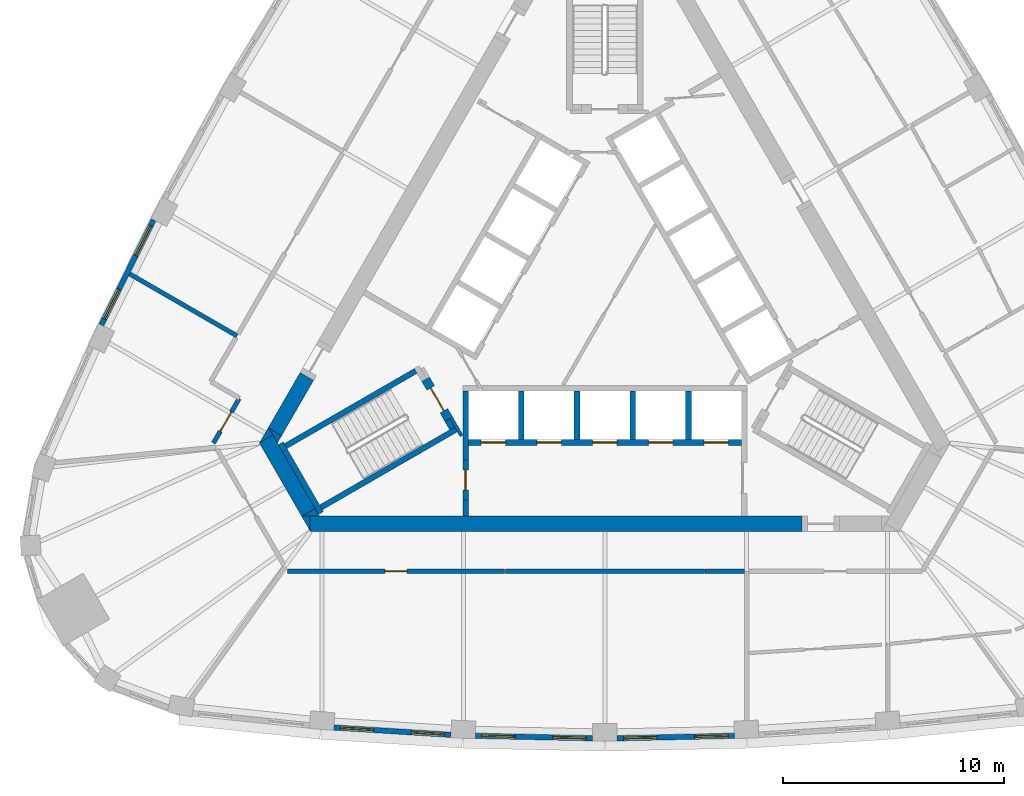
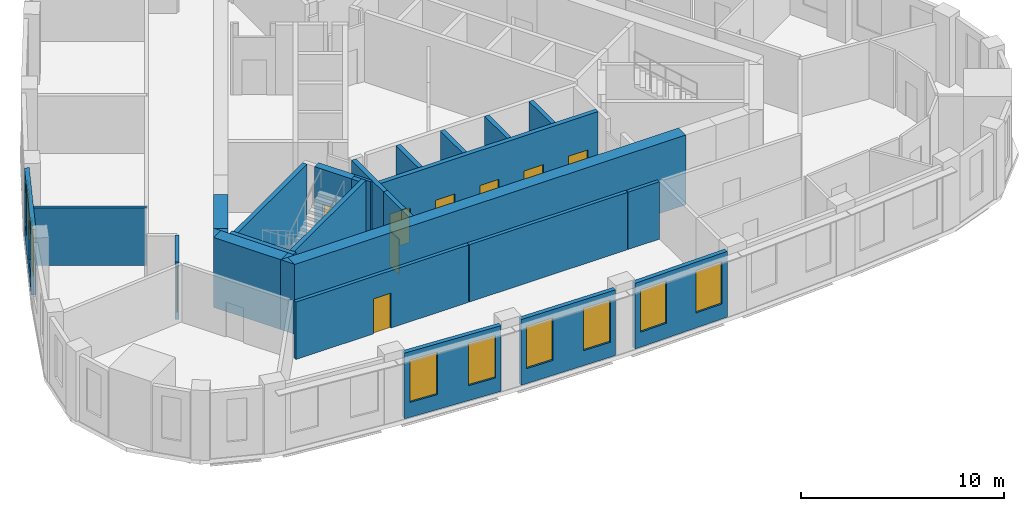
# One storey, part 3 of 10: 30 walls, 9 doors, 8 windows, 17 openings.
"""IFC4 building model written with IfcOpenShell, lengths in metres."""

from ifc_helpers import new_model, si_unit, direction, frame, frame_2d, origin, place, context, subcontext, project, spatial, polyline, rectangle, outline, extrude, material, layer, layer_set, type_object, element, fill, save


model = new_model("IFC4")

# Units and contexts
model_context = context("Model", 3, precision=1e-05, world=origin(), true_north=direction((0.0, 1.0)))
body_context = subcontext(model_context, "Body", "Model", "MODEL_VIEW")
ifc_project = project(units=[si_unit("LENGTHUNIT", "METRE"), si_unit("AREAUNIT", "SQUARE_METRE"), si_unit("VOLUMEUNIT", "CUBIC_METRE"), si_unit("PLANEANGLEUNIT", "RADIAN"), si_unit("MASSUNIT", "GRAM", prefix="KILO")], contexts=[model_context])

# Site, building, storey
site_placement = place(None, origin())
site = spatial("IfcSite", under=ifc_project, at=site_placement, CompositionType="ELEMENT")
building_placement = place(site_placement, origin())
building = spatial("IfcBuilding", under=site, at=building_placement, Name="Mestral Congress Tower", CompositionType="ELEMENT")
storey_placement = place(building_placement, frame((0.0, 0.0, 235.199951171875)))
storey = spatial("IfcBuildingStorey", under=building, at=storey_placement, Name="L55", CompositionType="ELEMENT", Elevation=235.199951171875)

# Walls
ifc_material_1 = material(Name="Concrete C60/75", Category="concrete")
ifc_layer_1 = layer(ifc_material_1, 0.699951171875)
ifc_layer_set_1 = layer_set([ifc_layer_1], Name="Concrete C60/75")
wall_type_1 = type_object("IfcWallType", Name="Core wall RC 700", PredefinedType="SOLIDWALL", material=ifc_layer_set_1)
wall_1_placement = place(storey_placement, frame((8.904296875, -10.0, 0.0), z_axis=(0.0, 0.0, 1.0), x_axis=(-1.0, 0.0, 0.0)))
element("IfcWall", 1, at=wall_1_placement, inside=storey, type_object=wall_type_1, Name="L55 core wall", PredefinedType="SOLIDWALL", context=body_context, shape_type="SweptSolid", body=[
    extrude(rectangle(XDim=22.226318359375, YDim=0.699951171875, at=frame_2d((11.11328125, 0.0))), origin(), (0.0, 0.0, 1.0), 4.199951171875),
])
placement = place(storey_placement, origin())
element("IfcWall", 2, at=placement, inside=storey, type_object=wall_type_1, Name="L55 core wall", PredefinedType="SOLIDWALL", context=body_context, shape_type="SweptSolid", body=[
    extrude(outline(polyline([(-13.7119140625, -9.64990234375), (-13.323974609375, -9.64990234375), (-13.323974609375, -10.322021484375), (-13.7119140625, -9.64990234375)])), origin(), (0.0, 0.0, 1.0), 4.199951171875),
])
wall_3_placement = place(storey_placement, frame((-13.40185546875, -9.4873046875, 0.0), z_axis=(0.0, 0.0, 1.0), x_axis=(-0.500020498207, 0.866013568815, 0.0)))
element("IfcWall", 3, at=wall_3_placement, inside=storey, type_object=wall_type_1, Name="L55 core wall", PredefinedType="SOLIDWALL", context=body_context, shape_type="SweptSolid", body=[
    extrude(rectangle(XDim=3.828857421875, YDim=0.699951171875, at=frame_2d((1.91455078125, 0.0))), origin(), (0.0, 0.0, 1.0), 4.199951171875),
])
element("IfcWall", 4, at=placement, inside=storey, type_object=wall_type_1, Name="L55 core wall", PredefinedType="SOLIDWALL", context=body_context, shape_type="SweptSolid", body=[
    extrude(outline(polyline([(-15.01416015625, -5.99462890625), (-15.611083984375, -6.33935546875), (-15.213134765625, -5.64990234375), (-15.01416015625, -5.99462890625)])), origin(), (0.0, 0.0, 1.0), 4.199951171875),
])
element("IfcWall", 5, at=placement, inside=storey, type_object=wall_type_1, Name="L55 core wall", PredefinedType="SOLIDWALL", context=body_context, shape_type="SweptSolid", body=[
    extrude(outline(polyline([(-12.90380859375, -9.64990234375), (-13.6796875, -9.64990234375), (-13.097900390625, -9.31396484375), (-12.90380859375, -9.64990234375)])), origin(), (0.0, 0.0, 1.0), 4.199951171875),
])
wall_6_placement = place(storey_placement, frame((-13.47509765625, -3.33935546875, 0.0), z_axis=(0.0, 0.0, 1.0), x_axis=(-0.499944726303, -0.866057313716, 0.0)))
element("IfcWall", 6, at=wall_6_placement, inside=storey, type_object=wall_type_1, Name="L55 core wall", PredefinedType="SOLIDWALL", context=body_context, shape_type="SweptSolid", body=[
    extrude(rectangle(XDim=2.884033203125, YDim=0.699951171875, at=frame_2d((1.44189453125, 0.0))), origin(), (0.0, 0.0, 1.0), 4.199951171875),
])
element("IfcWall", 7, at=placement, inside=storey, type_object=wall_type_1, Name="L55 core wall", PredefinedType="SOLIDWALL", context=body_context, shape_type="SweptSolid", body=[
    extrude(outline(polyline([(-14.80908203125, -6.35009765625), (-15.197021484375, -5.677978515625), (-14.614990234375, -6.013916015625), (-14.80908203125, -6.35009765625)])), origin(), (0.0, 0.0, 1.0), 4.199951171875),
])

# Wall, openings, windows
ifc_material_2 = material(Name="Precast concrete C40/50 with limestone facing", Category="masonry")
ifc_layer_2 = layer(ifc_material_2, 0.239990234375)
ifc_layer_set_2 = layer_set([ifc_layer_2], Name="Precast concrete C40/50 with limestone facing")
wall_type_2 = type_object("IfcWallType", Name="Facade stone wall 240", PredefinedType="SOLIDWALL", material=ifc_layer_set_2)
wall_8_placement = place(storey_placement, frame((-12.253173828125, -19.21337890625, 0.0), z_axis=(0.0, 0.0, 1.0), x_axis=(0.9980633213, -0.062206162685, 0.0)))
wall_8 = element("IfcWall", 8, at=wall_8_placement, inside=storey, type_object=wall_type_2, Name="Facade wall F0-01", PredefinedType="SOLIDWALL", context=body_context, shape_type="SweptSolid", body=[
    extrude(rectangle(XDim=5.29833984375, YDim=0.239990234375, at=frame_2d((2.649169921875, 0.0))), origin(), (0.0, 0.0, 1.0), 3.949951171875),
])
opening_1_placement = place(wall_8_placement, frame((0.29443359375, 0.0, 0.89990234375)))
opening_1 = element("IfcOpeningElement", 9, at=opening_1_placement, cuts=wall_8, Name="Opening W4", PredefinedType="OPENING", context=body_context, shape_type="SweptSolid", body=[
    extrude(rectangle(XDim=1.5, YDim=2.550048828125, at=frame_2d((0.75, 1.27490234375))), frame((0.0, 0.1298828125, 0.0), z_axis=(0.0, -1.0, 0.0), x_axis=(1.0, 0.0, 0.0)), (0.0, 0.0, 1.0), 0.260009765625),
])
opening_2_placement = place(wall_8_placement, frame((3.503662109375, 0.0, 0.89990234375)))
opening_2 = element("IfcOpeningElement", 10, at=opening_2_placement, cuts=wall_8, Name="Opening W4", PredefinedType="OPENING", context=body_context, shape_type="SweptSolid", body=[
    extrude(rectangle(XDim=1.5, YDim=2.550048828125, at=frame_2d((0.75, 1.27490234375))), frame((0.0, 0.1298828125, 0.0), z_axis=(0.0, -1.0, 0.0), x_axis=(1.0, 0.0, 0.0)), (0.0, 0.0, 1.0), 0.260009765625),
])
ifc_material_3 = material(Name="Clear low-emissivity double glazing", Category="glass")
window_type = type_object("IfcWindowType", Name="Facade punched window 1500 x 2550 sill 900", PartitioningType="SINGLE_PANEL", PredefinedType="WINDOW", material=ifc_material_3)
window_1_placement = place(opening_1_placement, origin())
window_1 = element("IfcWindow", 11, at=window_1_placement, inside=storey, type_object=window_type, Name="Window F0-01a", OverallHeight=2.550048828125, OverallWidth=1.5, PartitioningType="SINGLE_PANEL", PredefinedType="WINDOW", context=body_context, shape_type="SweptSolid", body=[
    extrude(rectangle(XDim=1.5, YDim=2.550048828125, at=frame_2d((0.75, 1.27490234375))), frame((0.0, 0.0400390625, 0.0), z_axis=(0.0, -1.0, 0.0), x_axis=(1.0, 0.0, 0.0)), (0.0, 0.0, 1.0), 0.06005859375),
])
fill(opening_1, window_1)
window_2_placement = place(opening_2_placement, origin())
window_2 = element("IfcWindow", 12, at=window_2_placement, inside=storey, type_object=window_type, Name="Window F0-01b", OverallHeight=2.550048828125, OverallWidth=1.5, PartitioningType="SINGLE_PANEL", PredefinedType="WINDOW", context=body_context, shape_type="SweptSolid", body=[
    extrude(rectangle(XDim=1.5, YDim=2.550048828125, at=frame_2d((0.75, 1.27490234375))), frame((0.0, 0.0400390625, 0.0), z_axis=(0.0, -1.0, 0.0), x_axis=(1.0, 0.0, 0.0)), (0.0, 0.0, 1.0), 0.06005859375),
])
fill(opening_2, window_2)

wall_9_placement = place(storey_placement, frame((-5.853515625, -19.589111328125, 0.0), z_axis=(0.0, 0.0, 1.0), x_axis=(0.999784035184, -0.020781794712, 0.0)))
wall_9 = element("IfcWall", 13, at=wall_9_placement, inside=storey, type_object=wall_type_2, Name="Facade wall F0-02", PredefinedType="SOLIDWALL", context=body_context, shape_type="SweptSolid", body=[
    extrude(rectangle(XDim=5.29833984375, YDim=0.239990234375, at=frame_2d((2.649169921875, 0.0))), origin(), (0.0, 0.0, 1.0), 3.949951171875),
])
opening_3_placement = place(wall_9_placement, frame((0.29443359375, 0.0, 0.89990234375)))
opening_3 = element("IfcOpeningElement", 14, at=opening_3_placement, cuts=wall_9, Name="Opening W4", PredefinedType="OPENING", context=body_context, shape_type="SweptSolid", body=[
    extrude(rectangle(XDim=1.5, YDim=2.550048828125, at=frame_2d((0.75, 1.27490234375))), frame((0.0, 0.1298828125, 0.0), z_axis=(0.0, -1.0, 0.0), x_axis=(1.0, 0.0, 0.0)), (0.0, 0.0, 1.0), 0.260009765625),
])
opening_4_placement = place(wall_9_placement, frame((3.503662109375, 0.0, 0.89990234375)))
opening_4 = element("IfcOpeningElement", 15, at=opening_4_placement, cuts=wall_9, Name="Opening W4", PredefinedType="OPENING", context=body_context, shape_type="SweptSolid", body=[
    extrude(rectangle(XDim=1.5, YDim=2.550048828125, at=frame_2d((0.75, 1.27490234375))), frame((0.0, 0.1298828125, 0.0), z_axis=(0.0, -1.0, 0.0), x_axis=(1.0, 0.0, 0.0)), (0.0, 0.0, 1.0), 0.260009765625),
])
window_3_placement = place(opening_3_placement, origin())
window_3 = element("IfcWindow", 16, at=window_3_placement, inside=storey, type_object=window_type, Name="Window F0-02a", OverallHeight=2.550048828125, OverallWidth=1.5, PartitioningType="SINGLE_PANEL", PredefinedType="WINDOW", context=body_context, shape_type="SweptSolid", body=[
    extrude(rectangle(XDim=1.5, YDim=2.550048828125, at=frame_2d((0.75, 1.27490234375))), frame((0.0, 0.0400390625, 0.0), z_axis=(0.0, -1.0, 0.0), x_axis=(1.0, 0.0, 0.0)), (0.0, 0.0, 1.0), 0.06005859375),
])
fill(opening_3, window_3)
window_4_placement = place(opening_4_placement, origin())
window_4 = element("IfcWindow", 17, at=window_4_placement, inside=storey, type_object=window_type, Name="Window F0-02b", OverallHeight=2.550048828125, OverallWidth=1.5, PartitioningType="SINGLE_PANEL", PredefinedType="WINDOW", context=body_context, shape_type="SweptSolid", body=[
    extrude(rectangle(XDim=1.5, YDim=2.550048828125, at=frame_2d((0.75, 1.27490234375))), frame((0.0, 0.0400390625, 0.0), z_axis=(0.0, -1.0, 0.0), x_axis=(1.0, 0.0, 0.0)), (0.0, 0.0, 1.0), 0.06005859375),
])
fill(opening_4, window_4)

wall_10_placement = place(storey_placement, frame((0.556396484375, -19.69921875, 0.0), z_axis=(0.0, 0.0, 1.0), x_axis=(0.999784035184, 0.020781794712, 0.0)))
wall_10 = element("IfcWall", 18, at=wall_10_placement, inside=storey, type_object=wall_type_2, Name="Facade wall F0-03", PredefinedType="SOLIDWALL", context=body_context, shape_type="SweptSolid", body=[
    extrude(rectangle(XDim=5.29833984375, YDim=0.239990234375, at=frame_2d((2.649169921875, 0.0))), origin(), (0.0, 0.0, 1.0), 3.949951171875),
])
opening_5_placement = place(wall_10_placement, frame((0.29443359375, 0.0, 0.89990234375)))
opening_5 = element("IfcOpeningElement", 19, at=opening_5_placement, cuts=wall_10, Name="Opening W4", PredefinedType="OPENING", context=body_context, shape_type="SweptSolid", body=[
    extrude(rectangle(XDim=1.5, YDim=2.550048828125, at=frame_2d((0.75, 1.27490234375))), frame((0.0, 0.1298828125, 0.0), z_axis=(0.0, -1.0, 0.0), x_axis=(1.0, 0.0, 0.0)), (0.0, 0.0, 1.0), 0.260009765625),
])
opening_6_placement = place(wall_10_placement, frame((3.503662109375, 0.0, 0.89990234375)))
opening_6 = element("IfcOpeningElement", 20, at=opening_6_placement, cuts=wall_10, Name="Opening W4", PredefinedType="OPENING", context=body_context, shape_type="SweptSolid", body=[
    extrude(rectangle(XDim=1.5, YDim=2.550048828125, at=frame_2d((0.75, 1.27490234375))), frame((0.0, 0.1298828125, 0.0), z_axis=(0.0, -1.0, 0.0), x_axis=(1.0, 0.0, 0.0)), (0.0, 0.0, 1.0), 0.260009765625),
])
window_5_placement = place(opening_5_placement, origin())
window_5 = element("IfcWindow", 21, at=window_5_placement, inside=storey, type_object=window_type, Name="Window F0-03a", OverallHeight=2.550048828125, OverallWidth=1.5, PartitioningType="SINGLE_PANEL", PredefinedType="WINDOW", context=body_context, shape_type="SweptSolid", body=[
    extrude(rectangle(XDim=1.5, YDim=2.550048828125, at=frame_2d((0.75, 1.27490234375))), frame((0.0, 0.0400390625, 0.0), z_axis=(0.0, -1.0, 0.0), x_axis=(1.0, 0.0, 0.0)), (0.0, 0.0, 1.0), 0.06005859375),
])
fill(opening_5, window_5)
window_6_placement = place(opening_6_placement, origin())
window_6 = element("IfcWindow", 22, at=window_6_placement, inside=storey, type_object=window_type, Name="Window F0-03b", OverallHeight=2.550048828125, OverallWidth=1.5, PartitioningType="SINGLE_PANEL", PredefinedType="WINDOW", context=body_context, shape_type="SweptSolid", body=[
    extrude(rectangle(XDim=1.5, YDim=2.550048828125, at=frame_2d((0.75, 1.27490234375))), frame((0.0, 0.0400390625, 0.0), z_axis=(0.0, -1.0, 0.0), x_axis=(1.0, 0.0, 0.0)), (0.0, 0.0, 1.0), 0.06005859375),
])
fill(opening_6, window_6)

wall_11_placement = place(storey_placement, frame((-20.407470703125, 3.739501953125, 0.0), z_axis=(0.0, 0.0, 1.0), x_axis=(-0.445129582031, -0.895466166419, 0.0)))
wall_11 = element("IfcWall", 23, at=wall_11_placement, inside=storey, type_object=wall_type_2, Name="Facade wall F2-04", PredefinedType="SOLIDWALL", context=body_context, shape_type="SweptSolid", body=[
    extrude(rectangle(XDim=5.29833984375, YDim=0.239990234375, at=frame_2d((2.649169921875, 0.0))), origin(), (0.0, 0.0, 1.0), 3.949951171875),
])
opening_7_placement = place(wall_11_placement, frame((0.294677734375, 0.0, 0.89990234375)))
opening_7 = element("IfcOpeningElement", 24, at=opening_7_placement, cuts=wall_11, Name="Opening W4", PredefinedType="OPENING", context=body_context, shape_type="SweptSolid", body=[
    extrude(rectangle(XDim=1.5, YDim=2.550048828125, at=frame_2d((0.75, 1.27490234375))), frame((0.0, 0.1298828125, 0.0), z_axis=(0.0, -1.0, 0.0), x_axis=(1.0, 0.0, 0.0)), (0.0, 0.0, 1.0), 0.260009765625),
])
opening_8_placement = place(wall_11_placement, frame((3.503662109375, 0.0, 0.89990234375)))
opening_8 = element("IfcOpeningElement", 25, at=opening_8_placement, cuts=wall_11, Name="Opening W4", PredefinedType="OPENING", context=body_context, shape_type="SweptSolid", body=[
    extrude(rectangle(XDim=1.5, YDim=2.550048828125, at=frame_2d((0.75, 1.27490234375))), frame((0.0, 0.1298828125, 0.0), z_axis=(0.0, -1.0, 0.0), x_axis=(1.0, 0.0, 0.0)), (0.0, 0.0, 1.0), 0.260009765625),
])
window_7_placement = place(opening_7_placement, origin())
window_7 = element("IfcWindow", 26, at=window_7_placement, inside=storey, type_object=window_type, Name="Window F2-04a", OverallHeight=2.550048828125, OverallWidth=1.5, PartitioningType="SINGLE_PANEL", PredefinedType="WINDOW", context=body_context, shape_type="SweptSolid", body=[
    extrude(rectangle(XDim=1.5, YDim=2.550048828125, at=frame_2d((0.75, 1.27490234375))), frame((0.0, 0.0400390625, 0.0), z_axis=(0.0, -1.0, 0.0), x_axis=(1.0, 0.0, 0.0)), (0.0, 0.0, 1.0), 0.06005859375),
])
fill(opening_7, window_7)
window_8_placement = place(opening_8_placement, origin())
window_8 = element("IfcWindow", 27, at=window_8_placement, inside=storey, type_object=window_type, Name="Window F2-04b", OverallHeight=2.550048828125, OverallWidth=1.5, PartitioningType="SINGLE_PANEL", PredefinedType="WINDOW", context=body_context, shape_type="SweptSolid", body=[
    extrude(rectangle(XDim=1.5, YDim=2.550048828125, at=frame_2d((0.75, 1.27490234375))), frame((0.0, 0.0400390625, 0.0), z_axis=(0.0, -1.0, 0.0), x_axis=(1.0, 0.0, 0.0)), (0.0, 0.0, 1.0), 0.06005859375),
])
fill(opening_8, window_8)

# Wall
ifc_material_4 = material(Name="Dense masonry wall, plastered", Category="masonry")
ifc_layer_3 = layer(ifc_material_4, 0.199951171875)
ifc_layer_set_3 = layer_set([ifc_layer_3], Name="Dense masonry wall, plastered")
wall_type_3 = type_object("IfcWallType", Name="Office tenancy wall 200", PredefinedType="PARTITIONING", material=ifc_layer_set_3)
wall_12_placement = place(storey_placement, frame((-16.631103515625, -1.505859375, 0.0), z_axis=(0.0, 0.0, 1.0), x_axis=(-0.866045655253, 0.499964921787, 0.0)))
element("IfcWall", 28, at=wall_12_placement, inside=storey, type_object=wall_type_3, Name="Tenancy wall", PredefinedType="PARTITIONING", context=body_context, shape_type="SweptSolid", body=[
    extrude(rectangle(XDim=5.607421875, YDim=0.199951171875, at=frame_2d((2.8037109375, 0.0))), origin(), (0.0, 0.0, 1.0), 3.449951171875),
])

# Wall, opening, door
wall_13_placement = place(storey_placement, frame((-16.537109375, -4.34326171875, 0.0), z_axis=(0.0, 0.0, 1.0), x_axis=(-0.500014285048, -0.866017156151, 0.0)))
wall_13 = element("IfcWall", 29, at=wall_13_placement, inside=storey, type_object=wall_type_3, Name="Tenancy wall", PredefinedType="PARTITIONING", context=body_context, shape_type="SweptSolid", body=[
    extrude(rectangle(XDim=2.3173828125, YDim=0.199951171875, at=frame_2d((1.15869140625, 0.0))), origin(), (0.0, 0.0, 1.0), 3.449951171875),
])
opening_9_placement = place(wall_13_placement, frame((0.699951171875, 0.0, 0.0)))
opening_9 = element("IfcOpeningElement", 30, at=opening_9_placement, cuts=wall_13, Name="Opening O08-004", PredefinedType="OPENING", context=body_context, shape_type="SweptSolid", body=[
    extrude(rectangle(XDim=1.0, YDim=2.10009765625, at=frame_2d((0.5, 1.050048828125))), frame((0.0, 0.10986328125, 0.0), z_axis=(0.0, -1.0, 0.0), x_axis=(1.0, 0.0, 0.0)), (0.0, 0.0, 1.0), 0.219970703125),
])
ifc_material_5 = material(Name="Fire-rated timber door set", Category="wood")
door_type_1 = type_object("IfcDoorType", Name="Office tenancy entrance door 1000x2100", OperationType="SINGLE_SWING_LEFT", PredefinedType="DOOR", material=ifc_material_5)
door_1_placement = place(opening_9_placement, origin())
door_1 = element("IfcDoor", 31, at=door_1_placement, inside=storey, type_object=door_type_1, Name="Door O08-004", OperationType="SINGLE_SWING_RIGHT", OverallHeight=2.10009765625, OverallWidth=1.0, PredefinedType="DOOR", context=body_context, shape_type="SweptSolid", body=[
    extrude(rectangle(XDim=1.0, YDim=2.10009765625, at=frame_2d((0.5, 1.050048828125))), frame((0.0, 0.02490234375, 0.0), z_axis=(0.0, -1.0, 0.0), x_axis=(1.0, 0.0, 0.0)), (0.0, 0.0, 1.0), 0.050048828125),
])
fill(opening_9, door_1)

# Wall
wall_14_placement = place(storey_placement, frame((-4.5, -12.14990234375, 0.0), z_axis=(0.0, 0.0, 1.0), x_axis=(1.0, 0.0, 0.0)))
element("IfcWall", 32, at=wall_14_placement, inside=storey, type_object=wall_type_3, Name="Tenancy wall", PredefinedType="PARTITIONING", context=body_context, shape_type="SweptSolid", body=[
    extrude(rectangle(XDim=9.0, YDim=0.199951171875, at=frame_2d((4.5, 0.0))), origin(), (0.0, 0.0, 1.0), 3.449951171875),
])

# Wall, opening, door
wall_15_placement = place(storey_placement, frame((-14.34716796875, -12.14990234375, 0.0), z_axis=(0.0, 0.0, 1.0), x_axis=(1.0, 0.0, 0.0)))
wall_15 = element("IfcWall", 33, at=wall_15_placement, inside=storey, type_object=wall_type_3, Name="Tenancy wall", PredefinedType="PARTITIONING", context=body_context, shape_type="SweptSolid", body=[
    extrude(rectangle(XDim=9.817138671875, YDim=0.199951171875, at=frame_2d((4.90869140625, 0.0))), origin(), (0.0, 0.0, 1.0), 3.449951171875),
])
opening_10_placement = place(wall_15_placement, frame((4.39990234375, 0.0, 0.0)))
opening_10 = element("IfcOpeningElement", 34, at=opening_10_placement, cuts=wall_15, Name="Opening O08-006", PredefinedType="OPENING", context=body_context, shape_type="SweptSolid", body=[
    extrude(rectangle(XDim=1.0, YDim=2.10009765625, at=frame_2d((0.5, 1.050048828125))), frame((0.0, 0.10986328125, 0.0), z_axis=(0.0, -1.0, 0.0), x_axis=(1.0, 0.0, 0.0)), (0.0, 0.0, 1.0), 0.219970703125),
])
door_2_placement = place(opening_10_placement, origin())
door_2 = element("IfcDoor", 35, at=door_2_placement, inside=storey, type_object=door_type_1, Name="Door O08-006", OperationType="SINGLE_SWING_LEFT", OverallHeight=2.10009765625, OverallWidth=1.0, PredefinedType="DOOR", context=body_context, shape_type="SweptSolid", body=[
    extrude(rectangle(XDim=1.0, YDim=2.10009765625, at=frame_2d((0.5, 1.050048828125))), frame((0.0, 0.02490234375, 0.0), z_axis=(0.0, -1.0, 0.0), x_axis=(1.0, 0.0, 0.0)), (0.0, 0.0, 1.0), 0.050048828125),
])
fill(opening_10, door_2)

# Walls
wall_16_placement = place(storey_placement, frame((4.530029296875, -12.14990234375, 0.0), z_axis=(0.0, 0.0, 1.0), x_axis=(1.0, 0.0, 0.0)))
element("IfcWall", 36, at=wall_16_placement, inside=storey, type_object=wall_type_3, Name="Tenancy wall", PredefinedType="PARTITIONING", context=body_context, shape_type="SweptSolid", body=[
    extrude(rectangle(XDim=1.786865234375, YDim=0.199951171875, at=frame_2d((0.8935546875, 0.0))), origin(), (0.0, 0.0, 1.0), 3.449951171875),
])
ifc_layer_4 = layer(ifc_material_1, 0.25)
ifc_layer_set_4 = layer_set([ifc_layer_4], Name="Concrete C60/75")
wall_type_4 = type_object("IfcWallType", Name="Shaft wall RC 250", PredefinedType="SOLIDWALL", material=ifc_layer_set_4)
wall_17_placement = place(storey_placement, frame((-6.300048828125, -8.9248046875, 0.0), z_axis=(0.0, 0.0, 1.0), x_axis=(0.0, -1.0, 0.0)))
element("IfcWall", 37, at=wall_17_placement, inside=storey, type_object=wall_type_4, Name="L55 core wall", PredefinedType="SOLIDWALL", context=body_context, shape_type="SweptSolid", body=[
    extrude(rectangle(XDim=0.72509765625, YDim=0.25, at=frame_2d((0.362548828125, 0.0))), origin(), (0.0, 0.0, 1.0), 4.199951171875),
])
for number, where, z_axis, x_axis, name in (
    (38, (3.780029296875, -4.0, 0.0), (0.0, 0.0, 1.0), (0.0, -1.0, 0.0), "L55 core wall"),
    (39, (1.260009765625, -4.0, 0.0), (0.0, 0.0, 1.0), (0.0, -1.0, 0.0), "L55 core wall"),
    (40, (-1.260009765625, -4.0, 0.0), (0.0, 0.0, 1.0), (0.0, -1.0, 0.0), "L55 core wall"),
    (41, (-3.780029296875, -4.0, 0.0), (0.0, 0.0, 1.0), (0.0, -1.0, 0.0), "L55 core wall"),
):
    element("IfcWall", number, at=place(storey_placement, frame(where, z_axis=z_axis, x_axis=x_axis)), inside=storey, type_object=wall_type_4, Name=name, PredefinedType="SOLIDWALL", context=body_context, shape_type="SweptSolid", body=[
        extrude(rectangle(XDim=2.199951171875, YDim=0.25, at=frame_2d((1.10009765625, 0.0))), origin(), (0.0, 0.0, 1.0), 4.199951171875),
    ])
wall_18_placement = place(storey_placement, frame((-6.300048828125, -7.12451171875, 0.0), z_axis=(0.0, 0.0, 1.0), x_axis=(0.0, 1.0, 0.0)))
element("IfcWall", 42, at=wall_18_placement, inside=storey, type_object=wall_type_4, Name="L55 core wall", PredefinedType="SOLIDWALL", context=body_context, shape_type="SweptSolid", body=[
    extrude(rectangle(XDim=3.12451171875, YDim=0.25, at=frame_2d((1.562255859375, 0.0))), origin(), (0.0, 0.0, 1.0), 4.199951171875),
])

# Wall, openings, doors
wall_19_placement = place(storey_placement, frame((-6.175048828125, -6.324951171875, 0.0), z_axis=(0.0, 0.0, 1.0), x_axis=(1.0, 0.0, 0.0)))
wall_19 = element("IfcWall", 43, at=wall_19_placement, inside=storey, type_object=wall_type_4, Name="L55 door wall", PredefinedType="SOLIDWALL", context=body_context, shape_type="SweptSolid", body=[
    extrude(rectangle(XDim=12.35009765625, YDim=0.25, at=frame_2d((6.175048828125, 0.0))), origin(), (0.0, 0.0, 1.0), 4.199951171875),
])
opening_11_placement = place(wall_19_placement, frame((0.5849609375, 0.0, 0.0)))
opening_11 = element("IfcOpeningElement", 44, at=opening_11_placement, cuts=wall_19, Name="Opening LD-SOB1", PredefinedType="OPENING", context=body_context, shape_type="SweptSolid", body=[
    extrude(rectangle(XDim=1.10009765625, YDim=2.10009765625, at=frame_2d((0.550048828125, 1.050048828125))), frame((0.0, 0.135009765625, 0.0), z_axis=(0.0, -1.0, 0.0), x_axis=(1.0, 0.0, 0.0)), (0.0, 0.0, 1.0), 0.27001953125),
])
opening_12_placement = place(wall_19_placement, frame((3.10498046875, 0.0, 0.0)))
opening_12 = element("IfcOpeningElement", 45, at=opening_12_placement, cuts=wall_19, Name="Opening LD-SOB2", PredefinedType="OPENING", context=body_context, shape_type="SweptSolid", body=[
    extrude(rectangle(XDim=1.10009765625, YDim=2.10009765625, at=frame_2d((0.550048828125, 1.050048828125))), frame((0.0, 0.135009765625, 0.0), z_axis=(0.0, -1.0, 0.0), x_axis=(1.0, 0.0, 0.0)), (0.0, 0.0, 1.0), 0.27001953125),
])
opening_13_placement = place(wall_19_placement, frame((5.625, 0.0, 0.0)))
opening_13 = element("IfcOpeningElement", 46, at=opening_13_placement, cuts=wall_19, Name="Opening LD-SOB3", PredefinedType="OPENING", context=body_context, shape_type="SweptSolid", body=[
    extrude(rectangle(XDim=1.10009765625, YDim=2.10009765625, at=frame_2d((0.550048828125, 1.050048828125))), frame((0.0, 0.135009765625, 0.0), z_axis=(0.0, -1.0, 0.0), x_axis=(1.0, 0.0, 0.0)), (0.0, 0.0, 1.0), 0.27001953125),
])
opening_14_placement = place(wall_19_placement, frame((8.14501953125, 0.0, 0.0)))
opening_14 = element("IfcOpeningElement", 47, at=opening_14_placement, cuts=wall_19, Name="Opening LD-SOB4", PredefinedType="OPENING", context=body_context, shape_type="SweptSolid", body=[
    extrude(rectangle(XDim=1.10009765625, YDim=2.10009765625, at=frame_2d((0.550048828125, 1.050048828125))), frame((0.0, 0.135009765625, 0.0), z_axis=(0.0, -1.0, 0.0), x_axis=(1.0, 0.0, 0.0)), (0.0, 0.0, 1.0), 0.27001953125),
])
opening_15_placement = place(wall_19_placement, frame((10.6650390625, 0.0, 0.0)))
opening_15 = element("IfcOpeningElement", 48, at=opening_15_placement, cuts=wall_19, Name="Opening LD-SOB5", PredefinedType="OPENING", context=body_context, shape_type="SweptSolid", body=[
    extrude(rectangle(XDim=1.10009765625, YDim=2.10009765625, at=frame_2d((0.550048828125, 1.050048828125))), frame((0.0, 0.135009765625, 0.0), z_axis=(0.0, -1.0, 0.0), x_axis=(1.0, 0.0, 0.0)), (0.0, 0.0, 1.0), 0.27001953125),
])
ifc_material_6 = material(Name="Fire-rated steel door set", Category="steel")
door_type_2 = type_object("IfcDoorType", Name="Core door LD 1100x2100", OperationType="DOUBLE_DOOR_SLIDING", PredefinedType="DOOR", material=ifc_material_6)
door_3_placement = place(opening_11_placement, origin())
door_3 = element("IfcDoor", 49, at=door_3_placement, inside=storey, type_object=door_type_2, Name="Door LD-SOB1", OperationType="DOUBLE_DOOR_SLIDING", OverallHeight=2.10009765625, OverallWidth=1.10009765625, PredefinedType="DOOR", context=body_context, shape_type="SweptSolid", body=[
    extrude(rectangle(XDim=1.10009765625, YDim=2.10009765625, at=frame_2d((0.550048828125, 1.050048828125))), frame((0.0, 0.02490234375, 0.0), z_axis=(0.0, -1.0, 0.0), x_axis=(1.0, 0.0, 0.0)), (0.0, 0.0, 1.0), 0.050048828125),
])
fill(opening_11, door_3)
door_4_placement = place(opening_12_placement, origin())
door_4 = element("IfcDoor", 50, at=door_4_placement, inside=storey, type_object=door_type_2, Name="Door LD-SOB2", OperationType="DOUBLE_DOOR_SLIDING", OverallHeight=2.10009765625, OverallWidth=1.10009765625, PredefinedType="DOOR", context=body_context, shape_type="SweptSolid", body=[
    extrude(rectangle(XDim=1.10009765625, YDim=2.10009765625, at=frame_2d((0.550048828125, 1.050048828125))), frame((0.0, 0.02490234375, 0.0), z_axis=(0.0, -1.0, 0.0), x_axis=(1.0, 0.0, 0.0)), (0.0, 0.0, 1.0), 0.050048828125),
])
fill(opening_12, door_4)
door_5_placement = place(opening_13_placement, origin())
door_5 = element("IfcDoor", 51, at=door_5_placement, inside=storey, type_object=door_type_2, Name="Door LD-SOB3", OperationType="DOUBLE_DOOR_SLIDING", OverallHeight=2.10009765625, OverallWidth=1.10009765625, PredefinedType="DOOR", context=body_context, shape_type="SweptSolid", body=[
    extrude(rectangle(XDim=1.10009765625, YDim=2.10009765625, at=frame_2d((0.550048828125, 1.050048828125))), frame((0.0, 0.02490234375, 0.0), z_axis=(0.0, -1.0, 0.0), x_axis=(1.0, 0.0, 0.0)), (0.0, 0.0, 1.0), 0.050048828125),
])
fill(opening_13, door_5)
door_6_placement = place(opening_14_placement, origin())
door_6 = element("IfcDoor", 52, at=door_6_placement, inside=storey, type_object=door_type_2, Name="Door LD-SOB4", OperationType="DOUBLE_DOOR_SLIDING", OverallHeight=2.10009765625, OverallWidth=1.10009765625, PredefinedType="DOOR", context=body_context, shape_type="SweptSolid", body=[
    extrude(rectangle(XDim=1.10009765625, YDim=2.10009765625, at=frame_2d((0.550048828125, 1.050048828125))), frame((0.0, 0.02490234375, 0.0), z_axis=(0.0, -1.0, 0.0), x_axis=(1.0, 0.0, 0.0)), (0.0, 0.0, 1.0), 0.050048828125),
])
fill(opening_14, door_6)
door_7_placement = place(opening_15_placement, origin())
door_7 = element("IfcDoor", 53, at=door_7_placement, inside=storey, type_object=door_type_2, Name="Door LD-SOB5", OperationType="DOUBLE_DOOR_SLIDING", OverallHeight=2.10009765625, OverallWidth=1.10009765625, PredefinedType="DOOR", context=body_context, shape_type="SweptSolid", body=[
    extrude(rectangle(XDim=1.10009765625, YDim=2.10009765625, at=frame_2d((0.550048828125, 1.050048828125))), frame((0.0, 0.02490234375, 0.0), z_axis=(0.0, -1.0, 0.0), x_axis=(1.0, 0.0, 0.0)), (0.0, 0.0, 1.0), 0.050048828125),
])
fill(opening_15, door_7)

# Wall, opening, door
wall_20_placement = place(storey_placement, frame((-6.300048828125, -7.12451171875, 0.0), z_axis=(0.0, 0.0, 1.0), x_axis=(0.0, -1.0, 0.0)))
wall_20 = element("IfcWall", 54, at=wall_20_placement, inside=storey, type_object=wall_type_4, Name="L55 door wall", PredefinedType="SOLIDWALL", context=body_context, shape_type="SweptSolid", body=[
    extrude(rectangle(XDim=1.800048828125, YDim=0.25, at=frame_2d((0.89990234375, 0.0))), origin(), (0.0, 0.0, 1.0), 4.199951171875),
])
opening_16_placement = place(wall_20_placement, frame((0.449951171875, 0.0, 0.0)))
opening_16 = element("IfcOpeningElement", 55, at=opening_16_placement, cuts=wall_20, Name="Opening TD3", PredefinedType="OPENING", context=body_context, shape_type="SweptSolid", body=[
    extrude(rectangle(XDim=0.89990234375, YDim=2.10009765625, at=frame_2d((0.449951171875, 1.050048828125))), frame((0.0, 0.135009765625, 0.0), z_axis=(0.0, -1.0, 0.0), x_axis=(1.0, 0.0, 0.0)), (0.0, 0.0, 1.0), 0.27001953125),
])
door_type_3 = type_object("IfcDoorType", Name="Core door SR 900x2100", OperationType="SINGLE_SWING_LEFT", PredefinedType="DOOR", material=ifc_material_6)
door_8_placement = place(opening_16_placement, origin())
door_8 = element("IfcDoor", 56, at=door_8_placement, inside=storey, type_object=door_type_3, Name="Door TD3", OperationType="SINGLE_SWING_LEFT", OverallHeight=2.10009765625, OverallWidth=0.89990234375, PredefinedType="DOOR", context=body_context, shape_type="SweptSolid", body=[
    extrude(rectangle(XDim=0.89990234375, YDim=2.10009765625, at=frame_2d((0.449951171875, 1.050048828125))), frame((0.0, 0.02490234375, 0.0), z_axis=(0.0, -1.0, 0.0), x_axis=(1.0, 0.0, 0.0)), (0.0, 0.0, 1.0), 0.050048828125),
])
fill(opening_16, door_8)

# Walls
ifc_layer_5 = layer(ifc_material_1, 0.14990234375)
ifc_layer_set_5 = layer_set([ifc_layer_5], Name="Concrete C60/75")
wall_type_5 = type_object("IfcWallType", Name="Shaft wall RC 250 door-wall 150", PredefinedType="SOLIDWALL", material=ifc_layer_set_5)
wall_21_placement = place(storey_placement, frame((-6.48046875, -6.026611328125, 0.0), z_axis=(0.0, 0.0, 1.0), x_axis=(-0.499927229454, 0.866067413802, 0.0)))
element("IfcWall", 57, at=wall_21_placement, inside=storey, type_object=wall_type_5, Name="L55 core wall", PredefinedType="PARTITIONING", context=body_context, shape_type="SweptSolid", body=[
    extrude(rectangle(XDim=0.928955078125, YDim=0.14990234375, at=frame_2d((0.46435546875, 0.0))), origin(), (0.0, 0.0, 1.0), 4.199951171875),
])
ifc_layer_6 = layer(ifc_material_1, 0.25)
ifc_layer_set_6 = layer_set([ifc_layer_6], Name="Concrete C60/75")
wall_type_6 = type_object("IfcWallType", Name="Stair wall RC 250", PredefinedType="SOLIDWALL", material=ifc_layer_set_6)
wall_22_placement = place(storey_placement, frame((-12.839599609375, -9.510986328125, 0.0), z_axis=(0.0, 0.0, 1.0), x_axis=(-0.499997733992, 0.866026712061, 0.0)))
element("IfcWall", 58, at=wall_22_placement, inside=storey, type_object=wall_type_6, Name="L55 core wall", PredefinedType="SOLIDWALL", context=body_context, shape_type="SweptSolid", body=[
    extrude(rectangle(XDim=3.6337890625, YDim=0.25, at=frame_2d((1.81689453125, 0.0))), origin(), (0.0, 0.0, 1.0), 4.199951171875),
])
wall_23_placement = place(storey_placement, frame((-14.43994140625, -6.489501953125, 0.0), z_axis=(0.0, 0.0, 1.0), x_axis=(0.866022966069, 0.500004222222, 0.0)))
element("IfcWall", 59, at=wall_23_placement, inside=storey, type_object=wall_type_6, Name="L55 core wall", PredefinedType="SOLIDWALL", context=body_context, shape_type="SweptSolid", body=[
    extrude(rectangle(XDim=6.80029296875, YDim=0.25, at=frame_2d((3.400146484375, 0.0))), origin(), (0.0, 0.0, 1.0), 4.199951171875),
])
wall_24_placement = place(storey_placement, frame((-12.83984375, -9.2607421875, 0.0), z_axis=(0.0, 0.0, 1.0), x_axis=(0.866016039709, 0.500016218704, 0.0)))
element("IfcWall", 60, at=wall_24_placement, inside=storey, type_object=wall_type_6, Name="L55 core wall", PredefinedType="SOLIDWALL", context=body_context, shape_type="SweptSolid", body=[
    extrude(rectangle(XDim=7.050048828125, YDim=0.25, at=frame_2d((3.52490234375, 0.0))), origin(), (0.0, 0.0, 1.0), 4.199951171875),
])
wall_25_placement = place(storey_placement, frame((-6.905029296875, -5.68994140625, 0.0), z_axis=(0.0, 0.0, 1.0), x_axis=(-0.500402024738, 0.865793170242, 0.0)))
element("IfcWall", 61, at=wall_25_placement, inside=storey, type_object=wall_type_6, Name="L55 core wall", PredefinedType="SOLIDWALL", context=body_context, shape_type="SweptSolid", body=[
    extrude(rectangle(XDim=0.425048828125, YDim=0.25, at=frame_2d((0.21240234375, 0.0))), origin(), (0.0, 0.0, 1.0), 4.199951171875),
])

# Wall, opening, door
ifc_layer_7 = layer(ifc_material_1, 0.39990234375)
ifc_layer_set_7 = layer_set([ifc_layer_7], Name="Concrete C60/75")
wall_type_7 = type_object("IfcWallType", Name="Stair wall RC 250 door-wall 400", PredefinedType="SOLIDWALL", material=ifc_layer_set_7)
wall_26_placement = place(storey_placement, frame((-8.102783203125, -3.4658203125, 0.0), z_axis=(0.0, 0.0, 1.0), x_axis=(0.500078061341, -0.865980330357, 0.0)))
wall_26 = element("IfcWall", 62, at=wall_26_placement, inside=storey, type_object=wall_type_7, Name="L55 door wall", PredefinedType="SOLIDWALL", context=body_context, shape_type="SweptSolid", body=[
    extrude(rectangle(XDim=2.099853515625, YDim=0.39990234375, at=frame_2d((1.0498046875, 0.0))), origin(), (0.0, 0.0, 1.0), 4.199951171875),
])
opening_17_placement = place(wall_26_placement, frame((0.449951171875, 0.0, 0.0)))
opening_17 = element("IfcOpeningElement", 63, at=opening_17_placement, cuts=wall_26, Name="Opening ST-D3", PredefinedType="OPENING", context=body_context, shape_type="SweptSolid", body=[
    extrude(rectangle(XDim=1.199951171875, YDim=2.10009765625, at=frame_2d((0.60009765625, 1.050048828125))), frame((0.0, 0.2099609375, 0.0), z_axis=(0.0, -1.0, 0.0), x_axis=(1.0, 0.0, 0.0)), (0.0, 0.0, 1.0), 0.419921875),
])
door_type_4 = type_object("IfcDoorType", Name="Core door ST 1200x2100", OperationType="SINGLE_SWING_LEFT", PredefinedType="DOOR", material=ifc_material_6)
door_9_placement = place(opening_17_placement, origin())
door_9 = element("IfcDoor", 64, at=door_9_placement, inside=storey, type_object=door_type_4, Name="Door ST-D3", OperationType="SINGLE_SWING_LEFT", OverallHeight=2.10009765625, OverallWidth=1.199951171875, PredefinedType="DOOR", context=body_context, shape_type="SweptSolid", body=[
    extrude(rectangle(XDim=1.199951171875, YDim=2.10009765625, at=frame_2d((0.60009765625, 1.050048828125))), frame((0.0, 0.02490234375, 0.0), z_axis=(0.0, -1.0, 0.0), x_axis=(1.0, 0.0, 0.0)), (0.0, 0.0, 1.0), 0.050048828125),
])
fill(opening_17, door_9)

save(model, "model.ifc")
